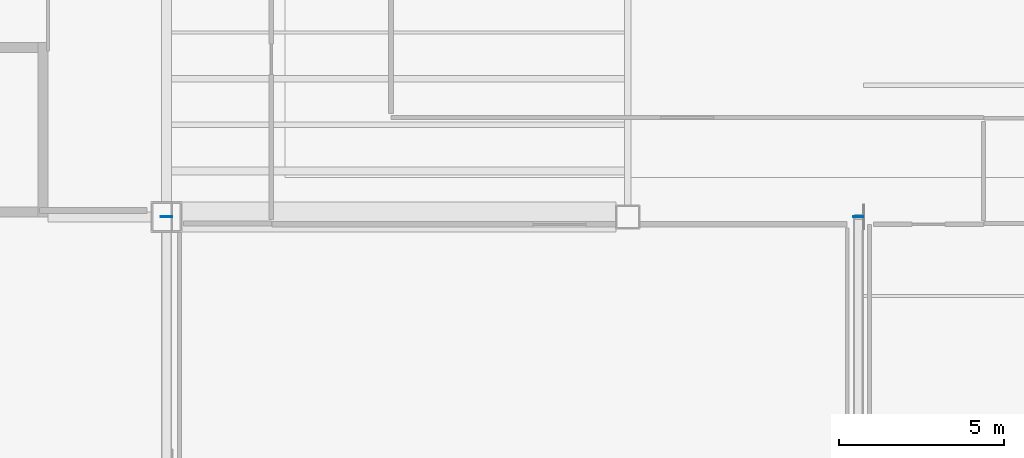
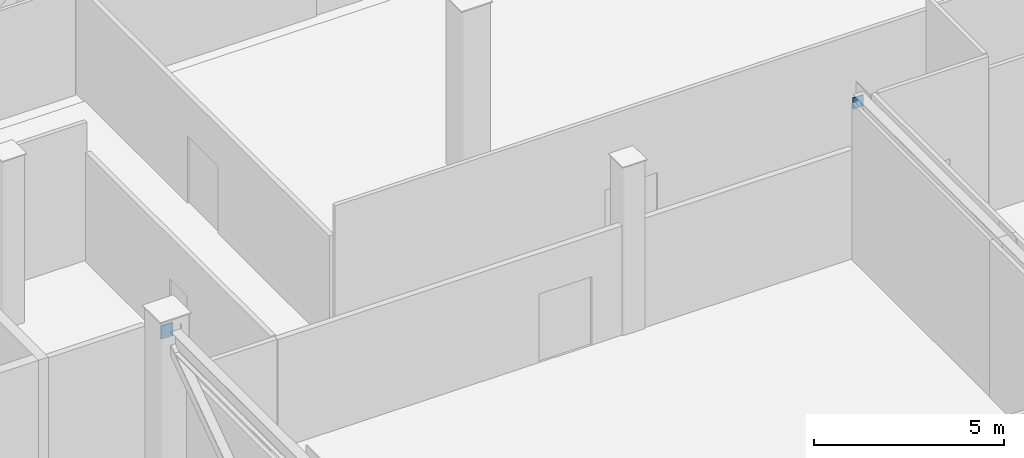
# One storey, part 106 of 135: 2 plates.
"""IFC4 building model written with IfcOpenShell, lengths in metres."""

from ifc_helpers import new_model, si_unit, direction, frame, origin, origin_2d, place, context, subcontext, project, spatial, rectangle, extrude, material, layer, layer_set, type_object, element, save


model = new_model("IFC4")

# Units and contexts
model_context = context("Model", 3, precision=1e-05, world=origin(), true_north=direction((0.0, 1.0)))
body_context = subcontext(model_context, "Body", "Model", "MODEL_VIEW")
ifc_project = project(units=[si_unit("LENGTHUNIT", "METRE"), si_unit("AREAUNIT", "SQUARE_METRE"), si_unit("VOLUMEUNIT", "CUBIC_METRE"), si_unit("PLANEANGLEUNIT", "RADIAN"), si_unit("MASSUNIT", "GRAM", prefix="KILO")], contexts=[model_context])

# Site, building, storey
site_placement = place(None, origin())
site = spatial("IfcSite", under=ifc_project, at=site_placement, CompositionType="ELEMENT")
building_placement = place(site_placement, origin())
building = spatial("IfcBuilding", under=site, at=building_placement, Name="Larkvane Passage Sports Hall", CompositionType="ELEMENT")
storey_placement = place(building_placement, frame((0.0, 0.0, 16.800048828125)))
storey = spatial("IfcBuildingStorey", under=building, at=storey_placement, Name="L03", CompositionType="ELEMENT", Elevation=16.800048828125)

# Plates
ifc_material_1 = material(Name="Steel S355JR", Category="steel")
ifc_layer_1 = layer(ifc_material_1, 0.011962890625)
ifc_layer_set_1 = layer_set([ifc_layer_1], Name="Steel S355JR")
plate_type_1 = type_object("IfcPlateType", Name="PLT-CAP-12", PredefinedType="SHEET", material=ifc_layer_set_1)
plate_1_placement = place(storey_placement, frame((152.60009765625, 22.804931640625, 4.54638671875), z_axis=(0.0, 0.0, 1.0), x_axis=(-1.0, 0.0, 0.0)))
element("IfcPlate", 1, at=plate_1_placement, inside=storey, type_object=plate_type_1, Name="Hollow section sealed end cap plate 0219", PredefinedType="SHEET", context=body_context, shape_type="SweptSolid", body=[
    extrude(rectangle(XDim=0.31005859375, YDim=0.028076171875, at=origin_2d()), origin(), (0.0, 0.0, 1.0), 0.365966796875),
])
ifc_material_2 = material(Name="Steel S460N", Category="steel")
ifc_layer_2 = layer(ifc_material_2, 0.02001953125)
ifc_layer_set_2 = layer_set([ifc_layer_2], Name="Steel S460N")
plate_type_2 = type_object("IfcPlateType", Name="PLT-CAP-20", PredefinedType="SHEET", material=ifc_layer_set_2)
plate_2_placement = place(storey_placement, frame((131.60009765625, 22.80810546875, 4.51806640625), z_axis=(0.0, 0.0, 1.0), x_axis=(-1.0, 0.0, 0.0)))
element("IfcPlate", 2, at=plate_2_placement, inside=storey, type_object=plate_type_2, Name="Hollow section sealed end cap plate 0215", PredefinedType="SHEET", context=body_context, shape_type="SweptSolid", body=[
    extrude(rectangle(XDim=0.360107421875, YDim=0.028076171875, at=origin_2d()), origin(), (0.0, 0.0, 1.0), 0.427001953125),
])

save(model, "model.ifc")
